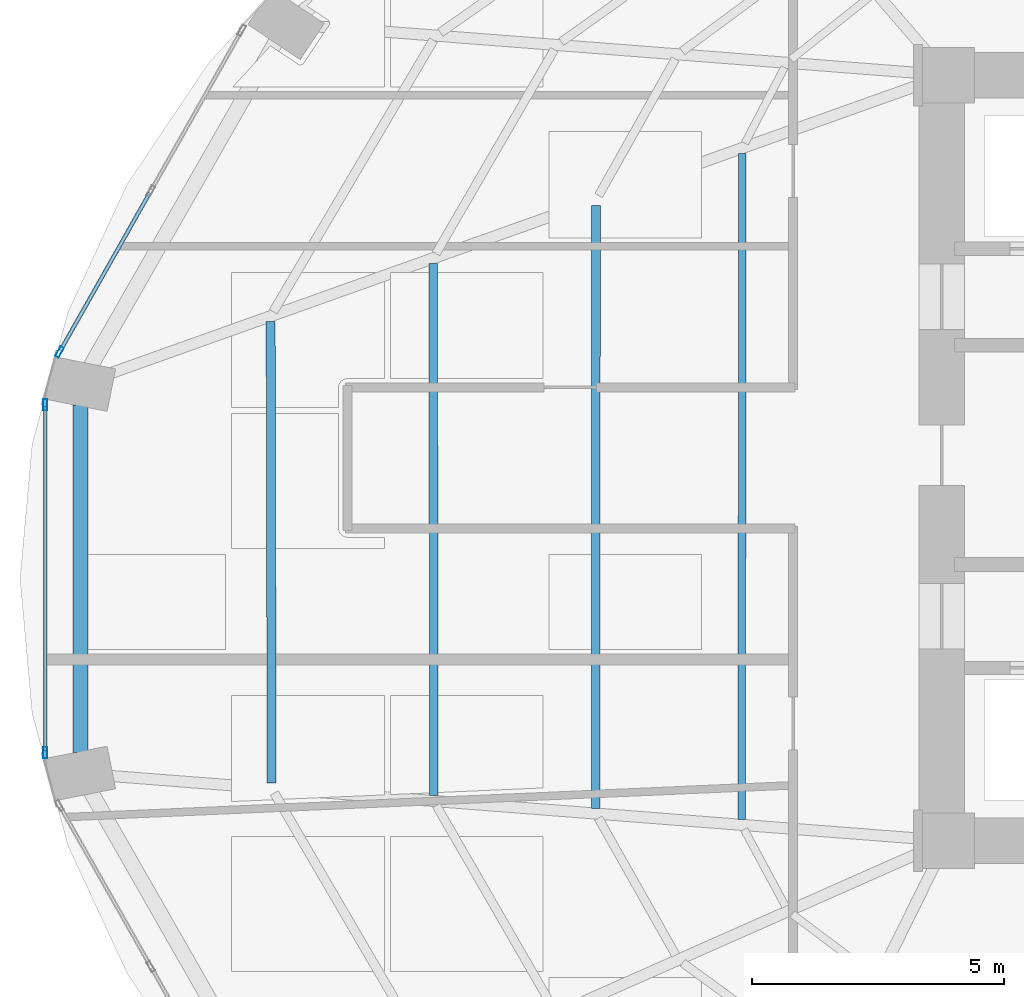
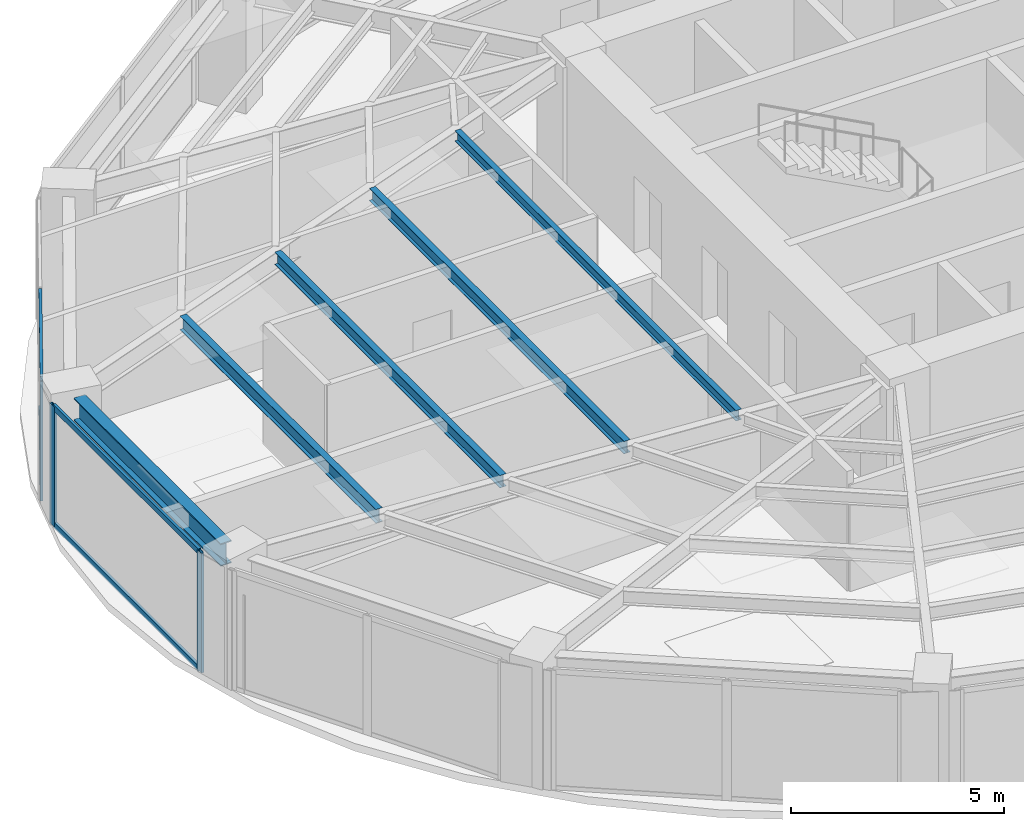
# One storey, part 7 of 24: 7 members, 5 beams, 2 elements without a shape of their own.
"""IFC4 building model written with IfcOpenShell, lengths in metres."""

from ifc_helpers import new_model, si_unit, direction, frame, origin, origin_2d, place, context, subcontext, project, spatial, hollow_rectangle, i_section, extrude, material, layer, layer_set, material_profile, profile_set, type_object, element, aggregate, save


model = new_model("IFC4")

# Units and contexts
model_context = context("Model", 3, precision=1e-05, world=origin(), true_north=direction((0.0, 1.0)))
body_context = subcontext(model_context, "Body", "Model", "MODEL_VIEW")
ifc_project = project(units=[si_unit("LENGTHUNIT", "METRE"), si_unit("AREAUNIT", "SQUARE_METRE"), si_unit("VOLUMEUNIT", "CUBIC_METRE"), si_unit("PLANEANGLEUNIT", "RADIAN"), si_unit("MASSUNIT", "GRAM", prefix="KILO")], contexts=[model_context])

# Site, building, storey
site_placement = place(None, origin())
site = spatial("IfcSite", under=ifc_project, at=site_placement, CompositionType="ELEMENT")
building_placement = place(site_placement, origin())
building = spatial("IfcBuilding", under=site, at=building_placement, Name="Lazwardi Medical Tower", CompositionType="ELEMENT")
storey_placement = place(building_placement, frame((0.0, 0.0, 36.14404296875)))
storey = spatial("IfcBuildingStorey", under=building, at=storey_placement, Name="L08", CompositionType="ELEMENT", Elevation=36.14404296875)

# Beams
ifc_material_1 = material(Name="Steel S355", Category="steel")
ifc_material_profile_1 = material_profile(ifc_material_1, i_section(OverallWidth=0.300048828125, OverallDepth=0.64990234375, WebThickness=0.01611328125, FlangeThickness=0.031005859375, at=origin_2d()), Name="HEB 650")
ifc_profile_set_1 = profile_set([ifc_material_profile_1], Name="Steel S355")
beam_type_1 = type_object("IfcBeamType", Name="BM-RB-Z1", PredefinedType="BEAM", material=ifc_profile_set_1)
beam_1_placement = place(storey_placement, frame((9.199951171875, 29.047607421875, 3.10302734375), z_axis=(0.0, -1.0, 0.0), x_axis=(1.0, 0.0, 0.0)))
element("IfcBeam", 1, at=beam_1_placement, inside=storey, type_object=beam_type_1, Name="Ring beam RB-02 B12 L08", PredefinedType="BEAM", context=body_context, shape_type="SweptSolid", body=[
    extrude(i_section(OverallWidth=0.300048828125, OverallDepth=0.64990234375, WebThickness=0.01611328125, FlangeThickness=0.031005859375, at=origin_2d()), origin(), (0.0, 0.0, 1.0), 6.895263671875),
])
ifc_material_profile_2 = material_profile(ifc_material_1, i_section(OverallWidth=0.179931640625, OverallDepth=0.39990234375, WebThickness=0.008544921875, FlangeThickness=0.013427734375, at=origin_2d()), Name="IPE 400")
ifc_profile_set_2 = profile_set([ifc_material_profile_2], Name="Steel S355")
beam_type_2 = type_object("IfcBeamType", Name="BM-SJ-01", PredefinedType="JOIST", material=ifc_profile_set_2)
beam_2_placement = place(storey_placement, frame((12.9765625, 30.708984375, 3.22802734375), z_axis=(0.002077613181, -0.999997841759, 0.0), x_axis=(0.999997841759, 0.002077613181, 0.0)))
element("IfcBeam", 2, at=beam_2_placement, inside=storey, type_object=beam_type_2, Name="Secondary joist SJ-01 R1 B12 L08", PredefinedType="JOIST", context=body_context, shape_type="SweptSolid", body=[
    extrude(i_section(OverallWidth=0.179931640625, OverallDepth=0.39990234375, WebThickness=0.008544921875, FlangeThickness=0.013427734375, at=origin_2d()), origin(), (0.0, 0.0, 1.0), 9.165771484375),
])
ifc_material_profile_3 = material_profile(ifc_material_1, i_section(OverallWidth=0.169921875, OverallDepth=0.360107421875, WebThickness=0.008056640625, FlangeThickness=0.0126953125, at=origin_2d()), Name="IPE 360")
ifc_profile_set_3 = profile_set([ifc_material_profile_3], Name="Steel S355")
beam_type_3 = type_object("IfcBeamType", Name="BM-SJ-02", PredefinedType="JOIST", material=ifc_profile_set_3)
beam_3_placement = place(storey_placement, frame((16.206298828125, 31.860595703125, 3.248046875), z_axis=(0.000670039821, -0.999999775523, 0.0), x_axis=(0.999999775523, 0.000670039821, 0.0)))
element("IfcBeam", 3, at=beam_3_placement, inside=storey, type_object=beam_type_3, Name="Secondary joist SJ-02 R2 B12 L08", PredefinedType="JOIST", context=body_context, shape_type="SweptSolid", body=[
    extrude(i_section(OverallWidth=0.169921875, OverallDepth=0.360107421875, WebThickness=0.008056640625, FlangeThickness=0.0126953125, at=origin_2d()), origin(), (0.0, 0.0, 1.0), 10.566650390625),
])
beam_4_placement = place(storey_placement, frame((19.43603515625, 33.01220703125, 3.248046875), z_axis=(-0.000387612685, -0.999999924878, 0.0), x_axis=(0.999999924878, -0.000387612685, 0.0)))
element("IfcBeam", 4, at=beam_4_placement, inside=storey, type_object=beam_type_3, Name="Secondary joist SJ-02 R3 B12 L08", PredefinedType="JOIST", context=body_context, shape_type="SweptSolid", body=[
    extrude(i_section(OverallWidth=0.169921875, OverallDepth=0.360107421875, WebThickness=0.008056640625, FlangeThickness=0.0126953125, at=origin_2d()), origin(), (0.0, 0.0, 1.0), 11.96728515625),
])
ifc_material_profile_4 = material_profile(ifc_material_1, i_section(OverallWidth=0.14990234375, OverallDepth=0.300048828125, WebThickness=0.007080078125, FlangeThickness=0.0107421875, at=origin_2d()), Name="IPE 300")
ifc_profile_set_4 = profile_set([ifc_material_profile_4], Name="Steel S355")
beam_type_4 = type_object("IfcBeamType", Name="BM-SJ-03", PredefinedType="JOIST", material=ifc_profile_set_4)
beam_5_placement = place(storey_placement, frame((22.343017578125, 34.048583984375, 3.278076171875), z_axis=(-0.001181203266, -0.999999302379, 0.0), x_axis=(0.999999302379, -0.001181203266, 0.0)))
element("IfcBeam", 5, at=beam_5_placement, inside=storey, type_object=beam_type_4, Name="Secondary joist SJ-03 R4 B12 L08", PredefinedType="JOIST", context=body_context, shape_type="SweptSolid", body=[
    extrude(i_section(OverallWidth=0.14990234375, OverallDepth=0.300048828125, WebThickness=0.007080078125, FlangeThickness=0.0107421875, at=origin_2d()), origin(), (0.0, 0.0, 1.0), 13.22802734375),
])

# Curtain wall, member
ifc_material_2 = material(Name="Anodised bronze aluminium and solar control glazing", Category="aluminium")
ifc_layer = layer(ifc_material_2, 0.199951171875)
ifc_layer_set = layer_set([ifc_layer], Name="Anodised bronze aluminium and solar control glazing")
curtain_wall_type = type_object("IfcCurtainWallType", Name="CW-SYS-02", PredefinedType="NOTDEFINED", material=ifc_layer_set)
curtain_wall_1_placement = place(storey_placement, origin())
curtain_wall_1 = element("IfcCurtainWall", 6, at=curtain_wall_1_placement, inside=storey, type_object=curtain_wall_type, Name="L08 Unitised bronze curtain wall CW-02", PredefinedType="NOTDEFINED")
ifc_material_3 = material(Name="Anodised bronze aluminium", Category="aluminium")
ifc_material_profile_5 = material_profile(ifc_material_3, hollow_rectangle(XDim=0.074951171875, YDim=0.219970703125, WallThickness=0.00390625, at=origin_2d()), Name="ALU-MULLION 220x75x4")
ifc_profile_set_5 = profile_set([ifc_material_profile_5], Name="Anodised bronze aluminium")
member_type_1 = type_object("IfcMemberType", Name="CW-MUL-01", PredefinedType="MULLION", material=ifc_profile_set_5)
member_1_placement = place(storey_placement, frame((8.785888671875, 30.102294921875, 0.0), z_axis=(0.0, 0.0, 1.0), x_axis=(0.870111838823, -0.492854327303, 0.0)))
member_1 = element("IfcMember", 7, at=member_1_placement, type_object=member_type_1, Name="CW-02 mullion 3", PredefinedType="MULLION", context=body_context, shape_type="SweptSolid", body=[
    extrude(hollow_rectangle(XDim=0.074951171875, YDim=0.219970703125, WallThickness=0.00390625, at=origin_2d()), origin(), (0.0, 0.0, 1.0), 3.427978515625),
])

# Curtain wall, members
curtain_wall_2_placement = place(storey_placement, origin())
curtain_wall_2 = element("IfcCurtainWall", 8, at=curtain_wall_2_placement, inside=storey, type_object=curtain_wall_type, Name="L08 Unitised bronze curtain wall CW-02", PredefinedType="NOTDEFINED")
member_2_placement = place(storey_placement, frame((8.50146484375, 29.053955078125, 0.0), z_axis=(0.0, 0.0, 1.0), x_axis=(1.0, 0.0, 0.0)))
member_2 = element("IfcMember", 9, at=member_2_placement, type_object=member_type_1, Name="CW-02 mullion 1", PredefinedType="MULLION", context=body_context, shape_type="SweptSolid", body=[
    extrude(hollow_rectangle(XDim=0.074951171875, YDim=0.219970703125, WallThickness=0.00390625, at=origin_2d()), origin(), (0.0, 0.0, 1.0), 3.427978515625),
])
member_3_placement = place(storey_placement, frame((8.50146484375, 22.14599609375, 0.0), z_axis=(0.0, 0.0, 1.0), x_axis=(1.0, 0.0, 0.0)))
member_3 = element("IfcMember", 10, at=member_3_placement, type_object=member_type_1, Name="CW-02 mullion 2", PredefinedType="MULLION", context=body_context, shape_type="SweptSolid", body=[
    extrude(hollow_rectangle(XDim=0.074951171875, YDim=0.219970703125, WallThickness=0.00390625, at=origin_2d()), origin(), (0.0, 0.0, 1.0), 3.427978515625),
])

# Member
ifc_material_profile_6 = material_profile(ifc_material_3, hollow_rectangle(XDim=0.074951171875, YDim=0.159912109375, WallThickness=0.00390625, at=origin_2d()), Name="ALU-TRANSOM 160x75x4")
ifc_profile_set_6 = profile_set([ifc_material_profile_6], Name="Anodised bronze aluminium")
member_type_2 = type_object("IfcMemberType", Name="CW-TRN-01", PredefinedType="USERDEFINED", material=ifc_profile_set_6)
member_4_placement = place(storey_placement, frame((10.576171875, 33.262939453125, 0.037353515625), z_axis=(-0.49285148925, -0.870113446365, 0.0), x_axis=(0.870113446365, -0.49285148925, 0.0)))
member_4 = element("IfcMember", 11, at=member_4_placement, type_object=member_type_2, Name="CW-02 transom 2.1", ObjectType="TRANSOM", PredefinedType="USERDEFINED", context=body_context, shape_type="SweptSolid", body=[
    extrude(hollow_rectangle(XDim=0.074951171875, YDim=0.159912109375, WallThickness=0.00390625, at=origin_2d()), origin(), (0.0, 0.0, 1.0), 3.594970703125),
])

member_5_placement = place(storey_placement, frame((10.576171875, 33.262939453125, 3.390380859375), z_axis=(-0.49285148925, -0.870113446365, 0.0), x_axis=(0.870113446365, -0.49285148925, 0.0)))
member_5 = element("IfcMember", 12, at=member_5_placement, type_object=member_type_2, Name="CW-02 transom 2.2", ObjectType="TRANSOM", PredefinedType="USERDEFINED", context=body_context, shape_type="SweptSolid", body=[
    extrude(hollow_rectangle(XDim=0.074951171875, YDim=0.159912109375, WallThickness=0.00390625, at=origin_2d()), origin(), (0.0, 0.0, 1.0), 3.594970703125),
])

aggregate(curtain_wall_1, [member_1, member_4, member_5])

member_6_placement = place(storey_placement, frame((8.50146484375, 29.0166015625, 0.037353515625), z_axis=(0.0, -1.0, 0.0), x_axis=(1.0, 0.0, 0.0)))
member_6 = element("IfcMember", 13, at=member_6_placement, type_object=member_type_2, Name="CW-02 transom 1.1", ObjectType="TRANSOM", PredefinedType="USERDEFINED", context=body_context, shape_type="SweptSolid", body=[
    extrude(hollow_rectangle(XDim=0.074951171875, YDim=0.159912109375, WallThickness=0.00390625, at=origin_2d()), origin(), (0.0, 0.0, 1.0), 6.8330078125),
])

member_7_placement = place(storey_placement, frame((8.50146484375, 29.0166015625, 3.390380859375), z_axis=(0.0, -1.0, 0.0), x_axis=(1.0, 0.0, 0.0)))
member_7 = element("IfcMember", 14, at=member_7_placement, type_object=member_type_2, Name="CW-02 transom 1.2", ObjectType="TRANSOM", PredefinedType="USERDEFINED", context=body_context, shape_type="SweptSolid", body=[
    extrude(hollow_rectangle(XDim=0.074951171875, YDim=0.159912109375, WallThickness=0.00390625, at=origin_2d()), origin(), (0.0, 0.0, 1.0), 6.8330078125),
])

aggregate(curtain_wall_2, [member_2, member_3, member_6, member_7])

save(model, "model.ifc")
